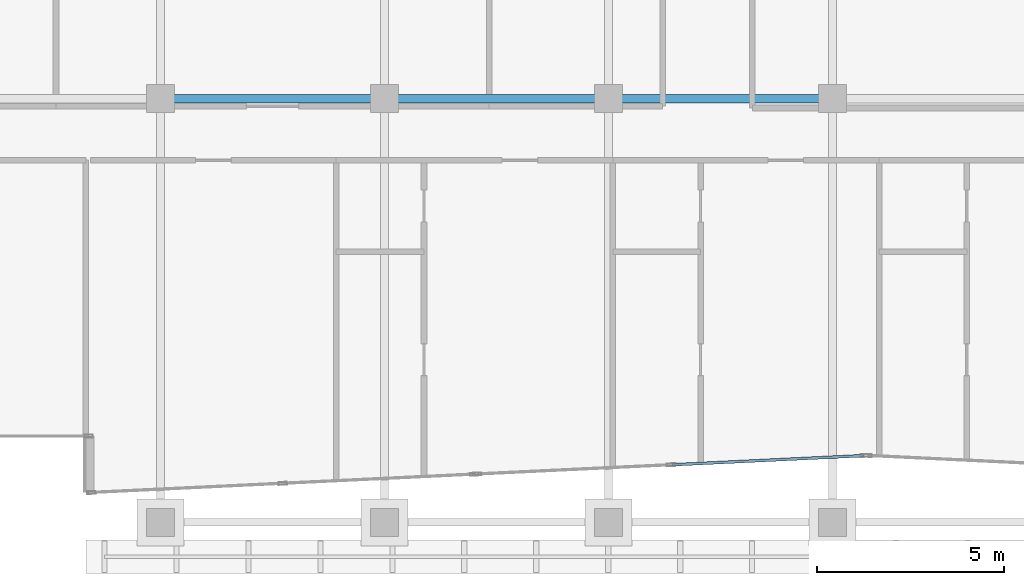
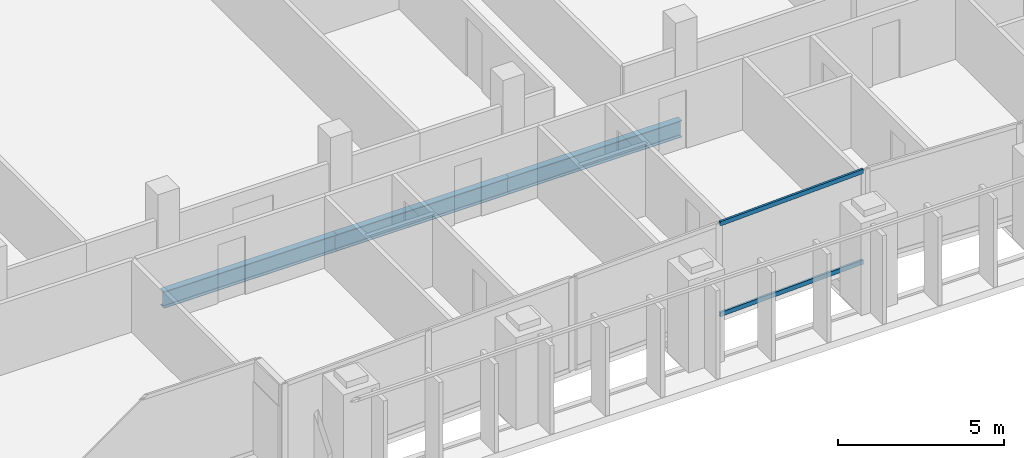
# One storey, part 8 of 32: 3 beams, 2 members, 1 element without a shape of its own.
"""IFC4 building model written with IfcOpenShell, lengths in metres."""

from ifc_helpers import new_model, si_unit, direction, frame, origin, origin_2d, place, context, subcontext, project, spatial, hollow_rectangle, i_section, extrude, material, layer, layer_set, material_profile, profile_set, type_object, element, aggregate, save


model = new_model("IFC4")

# Units and contexts
model_context = context("Model", 3, precision=1e-05, world=origin(), true_north=direction((0.0, 1.0)))
body_context = subcontext(model_context, "Body", "Model", "MODEL_VIEW")
ifc_project = project(units=[si_unit("LENGTHUNIT", "METRE"), si_unit("AREAUNIT", "SQUARE_METRE"), si_unit("VOLUMEUNIT", "CUBIC_METRE"), si_unit("PLANEANGLEUNIT", "RADIAN"), si_unit("MASSUNIT", "GRAM", prefix="KILO")], contexts=[model_context])

# Site, building, storey
site_placement = place(None, origin())
site = spatial("IfcSite", under=ifc_project, at=site_placement, CompositionType="ELEMENT")
building_placement = place(site_placement, origin())
building = spatial("IfcBuilding", under=site, at=building_placement, Name="Tanjung Sevakor Pilgrim Tower", CompositionType="ELEMENT")
storey_placement = place(building_placement, frame((0.0, 0.0, 211.860107421875)))
storey = spatial("IfcBuildingStorey", under=building, at=storey_placement, Name="L59", CompositionType="ELEMENT", Elevation=211.860107421875)

# Beams
ifc_material_1 = material(Name="Steel S355J2", Category="steel")
ifc_material_profile_1 = material_profile(ifc_material_1, i_section(OverallWidth=0.22900390625, OverallDepth=0.6123046875, WebThickness=0.011962890625, FlangeThickness=0.01953125, FilletRadius=0.0126953125, at=origin_2d()))
ifc_profile_set_1 = profile_set([ifc_material_profile_1], Name="Steel S355J2")
beam_type = type_object("IfcBeamType", Name="BM-B-G4-UB_610x229x125", PredefinedType="BEAM", material=ifc_profile_set_1)
for number, where, z_axis, x_axis, name in (
    (1, (54.0, 24.60009765625, -0.526123046875), (1.0, 0.0, 0.0), (0.0, 1.0, 0.0), "L59 Primary Floor Girder MAIN Y246-05"),
    (2, (60.0, 24.60009765625, -0.526123046875), (1.0, 0.0, 0.0), (0.0, 1.0, 0.0), "L59 Primary Floor Girder MAIN Y246-06"),
    (3, (66.0, 24.60009765625, -0.526123046875), (1.0, 0.0, 0.0), (0.0, 1.0, 0.0), "L59 Primary Floor Girder MAIN Y246-07"),
):
    element("IfcBeam", number, at=place(storey_placement, frame(where, z_axis=z_axis, x_axis=x_axis)), inside=storey, type_object=beam_type, Name=name, PredefinedType="BEAM", context=body_context, shape_type="SweptSolid", body=[
        extrude(i_section(OverallWidth=0.22900390625, OverallDepth=0.6123046875, WebThickness=0.011962890625, FlangeThickness=0.01953125, FilletRadius=0.0126953125, at=origin_2d()), origin(), (0.0, 0.0, 1.0), 6.0),
    ])

# Curtain wall, members
ifc_material_2 = material(Name="Aluminium 6063-T6 and Low-E Glass", Category="aluminium")
ifc_layer = layer(ifc_material_2, 0.199951171875)
ifc_layer_set = layer_set([ifc_layer], Name="CW-SYS-PRAY")
curtain_wall_type = type_object("IfcCurtainWallType", Name="CW-SYS-PRAY", PredefinedType="NOTDEFINED", material=ifc_layer_set)
curtain_wall_placement = place(storey_placement, origin())
curtain_wall = element("IfcCurtainWall", 4, at=curtain_wall_placement, inside=storey, type_object=curtain_wall_type, Name="L59 Curtain Wall CW-PRY-L59-10", PredefinedType="NOTDEFINED")
ifc_material_3 = material(Name="Aluminium 6063-T6", Category="aluminium")
ifc_material_profile_2 = material_profile(ifc_material_3, hollow_rectangle(XDim=0.074951171875, YDim=0.159912109375, WallThickness=0.00439453125, at=origin_2d()))
ifc_profile_set_2 = profile_set([ifc_material_profile_2], Name="Aluminium 6063-T6")
member_type = type_object("IfcMemberType", Name="TYPE-CWT-2", PredefinedType="USERDEFINED", material=ifc_profile_set_2)
member_1_placement = place(storey_placement, frame((67.709716796875, 14.791748046875, 0.037353515625), z_axis=(0.998856242761, 0.047814289672, 0.0), x_axis=(-0.047814289672, 0.998856242761, 0.0)))
member_1 = element("IfcMember", 5, at=member_1_placement, type_object=member_type, Name="CW-PRY transom 2.1", ObjectType="TRANSOM", PredefinedType="USERDEFINED", context=body_context, shape_type="SweptSolid", body=[
    extrude(hollow_rectangle(XDim=0.074951171875, YDim=0.159912109375, WallThickness=0.00439453125, at=origin_2d()), origin(), (0.0, 0.0, 1.0), 5.121337890625),
])
member_2_placement = place(storey_placement, frame((67.709716796875, 14.791748046875, 3.372314453125), z_axis=(0.998856242761, 0.047814289672, 0.0), x_axis=(-0.047814289672, 0.998856242761, 0.0)))
member_2 = element("IfcMember", 6, at=member_2_placement, type_object=member_type, Name="CW-PRY transom 2.2", ObjectType="TRANSOM", PredefinedType="USERDEFINED", context=body_context, shape_type="SweptSolid", body=[
    extrude(hollow_rectangle(XDim=0.074951171875, YDim=0.159912109375, WallThickness=0.00439453125, at=origin_2d()), origin(), (0.0, 0.0, 1.0), 5.121337890625),
])
aggregate(curtain_wall, [member_1, member_2])

save(model, "model.ifc")
